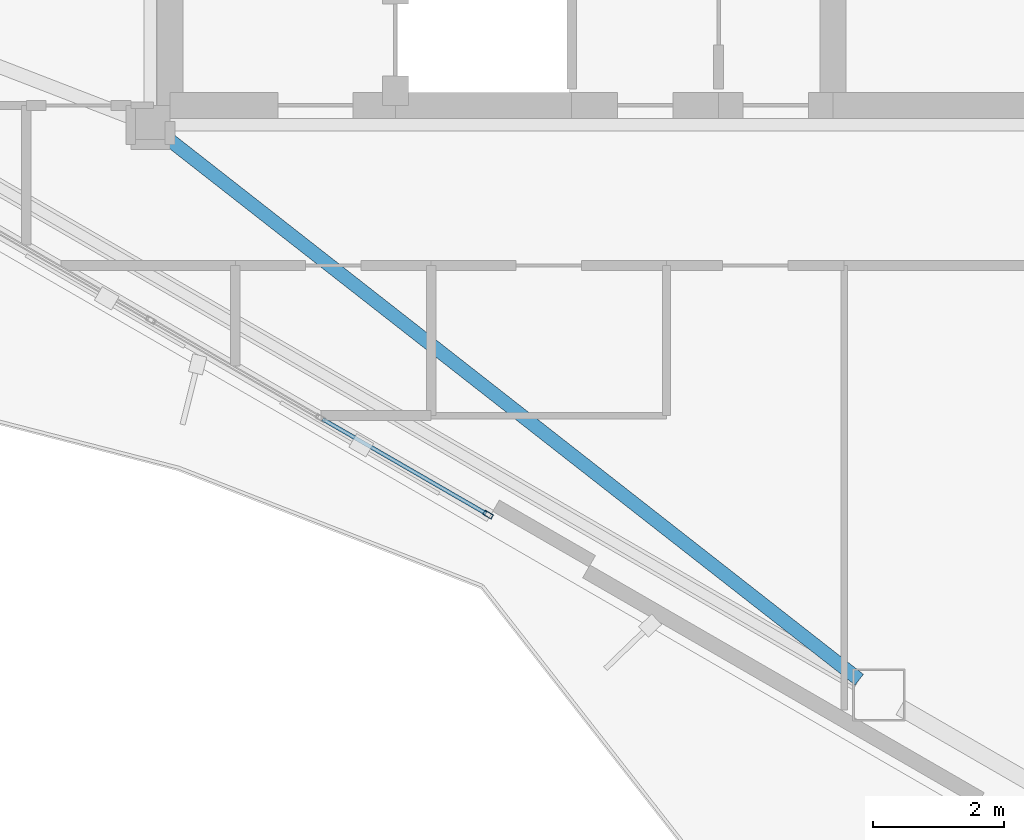
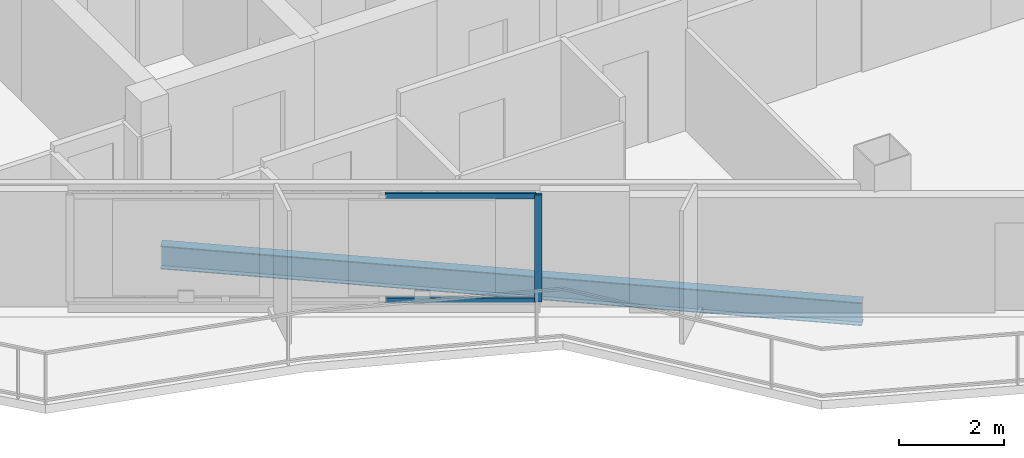
# One storey, part 4 of 21: 3 members, 1 beam, 1 element without a shape of its own.
"""IFC4 building model written with IfcOpenShell, lengths in metres."""

from ifc_helpers import new_model, si_unit, direction, frame, origin, origin_2d, place, context, subcontext, project, spatial, hollow_rectangle, i_section, extrude, material, layer, layer_set, material_profile, profile_set, type_object, element, aggregate, save


model = new_model("IFC4")

# Units and contexts
model_context = context("Model", 3, precision=1e-05, world=origin(), true_north=direction((0.0, 1.0)))
body_context = subcontext(model_context, "Body", "Model", "MODEL_VIEW")
ifc_project = project(units=[si_unit("LENGTHUNIT", "METRE"), si_unit("AREAUNIT", "SQUARE_METRE"), si_unit("VOLUMEUNIT", "CUBIC_METRE"), si_unit("PLANEANGLEUNIT", "RADIAN"), si_unit("MASSUNIT", "GRAM", prefix="KILO")], contexts=[model_context])

# Site, building, storey
site_placement = place(None, origin())
site = spatial("IfcSite", under=ifc_project, at=site_placement, CompositionType="ELEMENT")
building_placement = place(site_placement, origin())
building = spatial("IfcBuilding", under=site, at=building_placement, Name="Mersakhor Tower and Convention Hall", CompositionType="ELEMENT")
storey_placement = place(building_placement, frame((0.0, 0.0, 211.800048828125)))
storey = spatial("IfcBuildingStorey", under=building, at=storey_placement, Name="L59", CompositionType="ELEMENT", Elevation=211.800048828125)

# Beam
ifc_material_1 = material(Name="Steel S355", Category="steel")
ifc_material_profile_1 = material_profile(ifc_material_1, i_section(OverallWidth=0.2099609375, OverallDepth=0.53662109375, WebThickness=0.0107421875, FlangeThickness=0.017333984375, at=origin_2d()), Name="UB 533x210x101")
ifc_profile_set_1 = profile_set([ifc_material_profile_1], Name="Steel S355")
beam_type = type_object("IfcBeamType", Name="BM-FB-533", PredefinedType="BEAM", material=ifc_profile_set_1)
beam_placement = place(storey_placement, frame((22.12060546875, 20.27734375, -0.49853515625), z_axis=(0.78749660582, -0.616318988692, 0.0), x_axis=(0.616318988692, 0.78749660582, 0.0)))
element("IfcBeam", 1, at=beam_placement, inside=storey, type_object=beam_type, Name="L59 Primary Floor Girder FG-5", PredefinedType="BEAM", context=body_context, shape_type="SweptSolid", body=[
    extrude(i_section(OverallWidth=0.2099609375, OverallDepth=0.53662109375, WebThickness=0.0107421875, FlangeThickness=0.017333984375, at=origin_2d()), origin(), (0.0, 0.0, 1.0), 13.500732421875),
])

# Curtain wall, members
ifc_material_2 = material(Name="Dark solar low-E aluminium curtain wall", Category="aluminium")
ifc_layer = layer(ifc_material_2, 0.169921875)
ifc_layer_set = layer_set([ifc_layer], Name="Dark solar low-E aluminium curtain wall")
curtain_wall_type = type_object("IfcCurtainWallType", Name="CW-SYS-02", PredefinedType="USERDEFINED", material=ifc_layer_set)
curtain_wall_placement = place(storey_placement, origin())
curtain_wall = element("IfcCurtainWall", 2, at=curtain_wall_placement, inside=storey, type_object=curtain_wall_type, Name="L59 Dark-Glass Curtain Wall F3-B2", ObjectType="CURTAIN WALL", PredefinedType="USERDEFINED")
ifc_material_3 = material(Name="Anodised aluminium EN AW-6063 T6", Category="aluminium")
ifc_material_profile_2 = material_profile(ifc_material_3, hollow_rectangle(XDim=0.074951171875, YDim=0.14990234375, WallThickness=0.00634765625, at=origin_2d()), Name="RHS 150x75x6.3")
ifc_profile_set_2 = profile_set([ifc_material_profile_2], Name="Anodised aluminium EN AW-6063 T6")
member_type_1 = type_object("IfcMemberType", Name="CWM-150x75", PredefinedType="MULLION", material=ifc_profile_set_2)
member_1_placement = place(storey_placement, frame((27.06982421875, 14.483154296875, 0.199951171875), z_axis=(0.0, 0.0, 1.0), x_axis=(-0.500007824483, -0.86602088627, 0.0)))
member_1 = element("IfcMember", 3, at=member_1_placement, type_object=member_type_1, Name="CW-02 mullion 1", PredefinedType="MULLION", context=body_context, shape_type="SweptSolid", body=[
    extrude(hollow_rectangle(XDim=0.074951171875, YDim=0.14990234375, WallThickness=0.00634765625, at=origin_2d()), origin(), (0.0, 0.0, 1.0), 2.489990234375),
])
ifc_material_4 = material(Name="Anodised aluminium EN AW-6063 T6", Category="aluminium")
ifc_material_profile_3 = material_profile(ifc_material_4, hollow_rectangle(XDim=0.06005859375, YDim=0.1201171875, WallThickness=0.0048828125, at=origin_2d()), Name="RHS 120x60x5")
ifc_profile_set_3 = profile_set([ifc_material_profile_3], Name="Anodised aluminium EN AW-6063 T6")
member_type_2 = type_object("IfcMemberType", Name="CWT-120x60", PredefinedType="USERDEFINED", material=ifc_profile_set_3)
member_2_placement = place(storey_placement, frame((27.037353515625, 14.501953125, 0.22998046875), z_axis=(-0.86601237176, 0.50002257145, 0.0), x_axis=(-0.50002257145, -0.86601237176, 0.0)))
member_2 = element("IfcMember", 4, at=member_2_placement, type_object=member_type_2, Name="CW-02 transom 1.1", ObjectType="TRANSOM", PredefinedType="USERDEFINED", context=body_context, shape_type="SweptSolid", body=[
    extrude(hollow_rectangle(XDim=0.06005859375, YDim=0.1201171875, WallThickness=0.0048828125, at=origin_2d()), origin(), (0.0, 0.0, 1.0), 2.886962890625),
])
member_3_placement = place(storey_placement, frame((27.037353515625, 14.501953125, 2.659912109375), z_axis=(-0.86601237176, 0.50002257145, 0.0), x_axis=(-0.50002257145, -0.86601237176, 0.0)))
member_3 = element("IfcMember", 5, at=member_3_placement, type_object=member_type_2, Name="CW-02 transom 1.2", ObjectType="TRANSOM", PredefinedType="USERDEFINED", context=body_context, shape_type="SweptSolid", body=[
    extrude(hollow_rectangle(XDim=0.06005859375, YDim=0.1201171875, WallThickness=0.0048828125, at=origin_2d()), origin(), (0.0, 0.0, 1.0), 2.886962890625),
])
aggregate(curtain_wall, [member_1, member_2, member_3])

save(model, "model.ifc")
